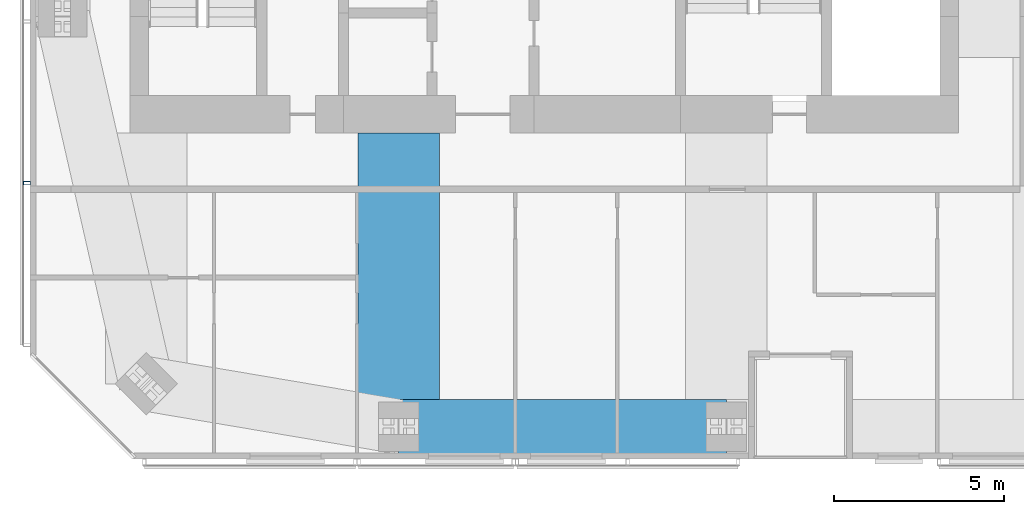
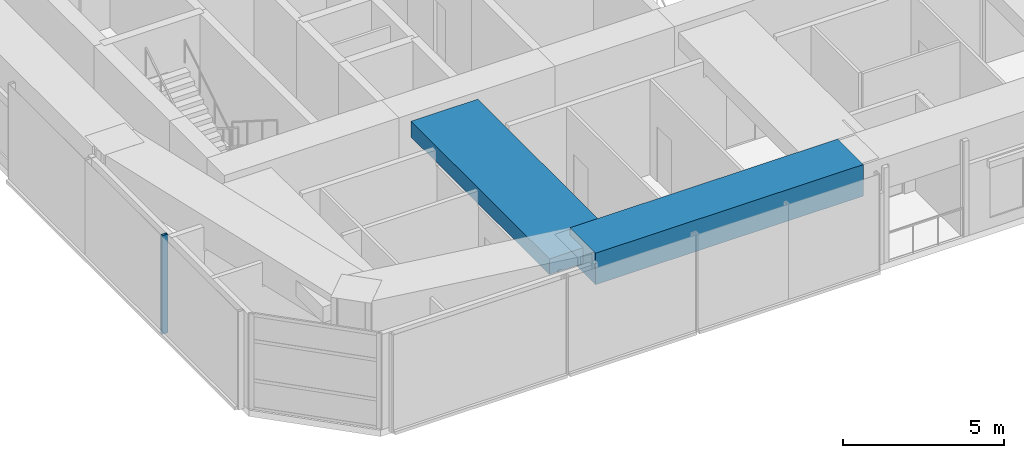
# One storey, part 3 of 20: 2 beams, 1 member, 1 element without a shape of its own.
"""IFC4 building model written with IfcOpenShell, lengths in metres."""

from ifc_helpers import new_model, si_unit, direction, frame, origin, origin_2d, place, context, subcontext, project, spatial, rectangle, hollow_rectangle, extrude, material, material_profile, profile_set, type_object, element, aggregate, save


model = new_model("IFC4")

# Units and contexts
model_context = context("Model", 3, precision=1e-05, world=origin(), true_north=direction((0.0, 1.0)))
body_context = subcontext(model_context, "Body", "Model", "MODEL_VIEW")
ifc_project = project(units=[si_unit("LENGTHUNIT", "METRE"), si_unit("AREAUNIT", "SQUARE_METRE"), si_unit("VOLUMEUNIT", "CUBIC_METRE"), si_unit("PLANEANGLEUNIT", "RADIAN"), si_unit("MASSUNIT", "GRAM", prefix="KILO")], contexts=[model_context])

# Site, building, storey
site_placement = place(None, origin())
site = spatial("IfcSite", under=ifc_project, at=site_placement, CompositionType="ELEMENT")
building_placement = place(site_placement, origin())
building = spatial("IfcBuilding", under=site, at=building_placement, Name="Jalousie Tower", CompositionType="ELEMENT")
storey_placement = place(building_placement, frame((0.0, 0.0, 263.85009765625)))
storey = spatial("IfcBuildingStorey", under=building, at=storey_placement, Name="L72", CompositionType="ELEMENT", Elevation=263.85009765625)

# Beams
ifc_material_1 = material(Name="Concrete f'c 40 MPa", Category="concrete")
ifc_material_profile_1 = material_profile(ifc_material_1, rectangle(XDim=1.60009765625, YDim=1.199951171875, at=origin_2d()), Name="RC 1600x1200")
ifc_profile_set_1 = profile_set([ifc_material_profile_1], Name="Concrete f'c 40 MPa")
beam_type_1 = type_object("IfcBeamType", Name="RC BEAM 1600x1200", PredefinedType="BEAM", material=ifc_profile_set_1)
beam_1_placement = place(storey_placement, frame((27.625, 0.949951171875, 3.2998046875), z_axis=(1.0, 0.0, 0.0), x_axis=(0.0, 1.0, 0.0)))
element("IfcBeam", 1, at=beam_1_placement, inside=storey, type_object=beam_type_1, Name="Edge band beam 02-03 under L73", PredefinedType="BEAM", context=body_context, shape_type="SweptSolid", body=[
    extrude(rectangle(XDim=1.60009765625, YDim=1.199951171875, at=origin_2d()), origin(), (0.0, 0.0, 1.0), 9.625),
])
ifc_material_2 = material(Name="Concrete f'c 40 MPa", Category="concrete")
ifc_material_profile_2 = material_profile(ifc_material_2, rectangle(XDim=2.39990234375, YDim=0.60009765625, at=origin_2d()), Name="RC 2400x600")
ifc_profile_set_2 = profile_set([ifc_material_profile_2], Name="Concrete f'c 40 MPa")
beam_type_2 = type_object("IfcBeamType", Name="RC BEAM 2400x600", PredefinedType="BEAM", material=ifc_profile_set_2)
beam_2_placement = place(storey_placement, frame((27.625, 0.949951171875, 3.31982421875), z_axis=(0.0, 1.0, 0.0), x_axis=(-1.0, 0.0, 0.0)))
element("IfcBeam", 2, at=beam_2_placement, inside=storey, type_object=beam_type_2, Name="Floor band beam under L73", PredefinedType="BEAM", context=body_context, shape_type="SweptSolid", body=[
    extrude(rectangle(XDim=2.39990234375, YDim=0.60009765625, at=origin_2d()), origin(), (0.0, 0.0, 1.0), 8.625),
])

# Curtain wall, member
ifc_material_3 = material(Name="Perforated aluminium sheet", Category="aluminium")
curtain_wall_type = type_object("IfcCurtainWallType", Name="SOLAR SCREEN SS-2", PredefinedType="USERDEFINED", material=ifc_material_3)
curtain_wall_placement = place(storey_placement, origin())
curtain_wall = element("IfcCurtainWall", 3, at=curtain_wall_placement, inside=storey, type_object=curtain_wall_type, Name="Solar screen L72", ObjectType="SOLAR SCREEN SS-2", PredefinedType="USERDEFINED")
ifc_material_4 = material(Name="Steel ASTM A500 Grade C", Category="steel")
ifc_material_profile_3 = material_profile(ifc_material_4, hollow_rectangle(XDim=0.1015625, YDim=0.203125, WallThickness=0.0078125, at=origin_2d()), Name="HSS8X4X5/16")
ifc_profile_set_3 = profile_set([ifc_material_profile_3], Name="Steel ASTM A500 Grade C")
member_type = type_object("IfcMemberType", Name="SOLAR SCREEN SS-2 MULLION", PredefinedType="MULLION", material=ifc_profile_set_3)
member_placement = place(storey_placement, frame((16.703369140625, 8.100830078125, -0.1201171875), z_axis=(0.0, 0.0, 1.0), x_axis=(0.0, -1.0, 0.0)))
member = element("IfcMember", 4, at=member_placement, type_object=member_type, Name="SS2 post 3", PredefinedType="MULLION", context=body_context, shape_type="SweptSolid", body=[
    extrude(hollow_rectangle(XDim=0.1015625, YDim=0.203125, WallThickness=0.0078125, at=origin_2d()), origin(), (0.0, 0.0, 1.0), 3.739990234375),
])
aggregate(curtain_wall, [member])

save(model, "model.ifc")
